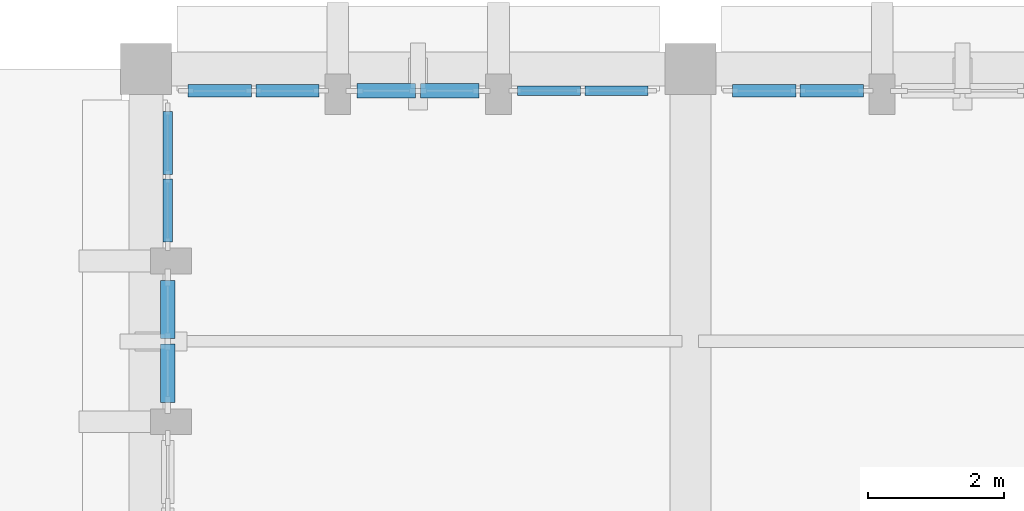
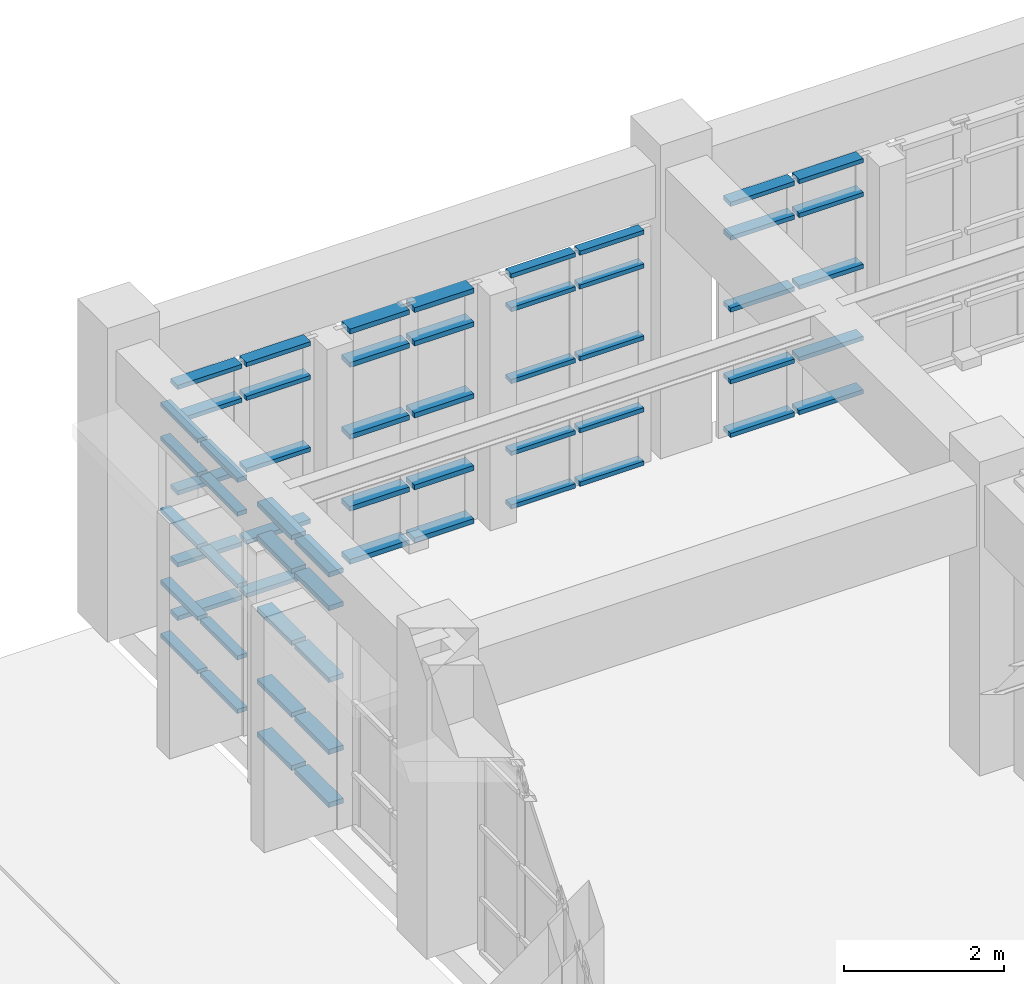
# One storey, part 68 of 155: 60 members, 6 elements without a shape of their own.
"""IFC4 building model written with IfcOpenShell, lengths in metres."""

from ifc_helpers import new_model, si_unit, direction, frame, origin, origin_2d, place, context, subcontext, project, spatial, rectangle, extrude, material, layer, layer_set, material_profile, profile_set, type_object, element, aggregate, save


model = new_model("IFC4")

# Units and contexts
model_context = context("Model", 3, precision=1e-05, world=origin(), true_north=direction((0.0, 1.0)))
body_context = subcontext(model_context, "Body", "Model", "MODEL_VIEW")
ifc_project = project(units=[si_unit("LENGTHUNIT", "METRE"), si_unit("AREAUNIT", "SQUARE_METRE"), si_unit("VOLUMEUNIT", "CUBIC_METRE"), si_unit("PLANEANGLEUNIT", "RADIAN"), si_unit("MASSUNIT", "GRAM", prefix="KILO")], contexts=[model_context])

# Site, building, storey
site_placement = place(None, origin())
site = spatial("IfcSite", under=ifc_project, at=site_placement, CompositionType="ELEMENT")
building_placement = place(site_placement, origin())
building = spatial("IfcBuilding", under=site, at=building_placement, Name="Tazarka Park Arena", CompositionType="ELEMENT")
storey_placement = place(building_placement, frame((0.0, 0.0, 5.39990234375)))
storey = spatial("IfcBuildingStorey", under=building, at=storey_placement, Name="L01", CompositionType="ELEMENT", Elevation=5.39990234375)

# Curtain wall, members
ifc_material_1 = material(Name="Aluminium and low-e glass", Category="aluminium")
ifc_layer_1 = layer(ifc_material_1, 0.179931640625, Name="Aluminium and low-e glass")
ifc_layer_set_1 = layer_set([ifc_layer_1], Name="Aluminium and low-e glass")
curtain_wall_type_1 = type_object("IfcCurtainWallType", Name="CW-24", PredefinedType="NOTDEFINED", material=ifc_layer_set_1)
curtain_wall_1_placement = place(storey_placement, origin())
curtain_wall_1 = element("IfcCurtainWall", 1, at=curtain_wall_1_placement, inside=storey, type_object=curtain_wall_type_1, Name="Curtain Wall CWA-L01-054", PredefinedType="NOTDEFINED")
ifc_material_2 = material(Name="Aluminium 6060-T66", Category="aluminium")
ifc_material_profile_1 = material_profile(ifc_material_2, rectangle(XDim=0.139892578125, YDim=0.06494140625, at=origin_2d()), Name="Aluminium 6060-T66")
ifc_profile_set_1 = profile_set([ifc_material_profile_1], Name="Aluminium 6060-T66")
member_type_1 = type_object("IfcMemberType", Name="CWT-01", PredefinedType="USERDEFINED", material=ifc_profile_set_1)
member_1_placement = place(storey_placement, frame((45.456787109375, 127.679931640625, 0.03271484375), z_axis=(1.0, 0.0, 0.0), x_axis=(0.0, 1.0, 0.0)))
member_1 = element("IfcMember", 2, at=member_1_placement, type_object=member_type_1, Name="CW-24 transom 1.1", ObjectType="TRANSOM", PredefinedType="USERDEFINED", context=body_context, shape_type="SweptSolid", body=[
    extrude(rectangle(XDim=0.139892578125, YDim=0.06494140625, at=origin_2d()), origin(), (0.0, 0.0, 1.0), 0.928955078125),
])
member_2_placement = place(storey_placement, frame((45.456787109375, 127.679931640625, 0.85009765625), z_axis=(1.0, 0.0, 0.0), x_axis=(0.0, 1.0, 0.0)))
member_2 = element("IfcMember", 3, at=member_2_placement, type_object=member_type_1, Name="CW-24 transom 1.2", ObjectType="TRANSOM", PredefinedType="USERDEFINED", context=body_context, shape_type="SweptSolid", body=[
    extrude(rectangle(XDim=0.139892578125, YDim=0.06494140625, at=origin_2d()), origin(), (0.0, 0.0, 1.0), 0.928955078125),
])
member_3_placement = place(storey_placement, frame((45.456787109375, 127.679931640625, 1.9501953125), z_axis=(1.0, 0.0, 0.0), x_axis=(0.0, 1.0, 0.0)))
member_3 = element("IfcMember", 4, at=member_3_placement, type_object=member_type_1, Name="CW-24 transom 1.3", ObjectType="TRANSOM", PredefinedType="USERDEFINED", context=body_context, shape_type="SweptSolid", body=[
    extrude(rectangle(XDim=0.139892578125, YDim=0.06494140625, at=origin_2d()), origin(), (0.0, 0.0, 1.0), 0.928955078125),
])
member_4_placement = place(storey_placement, frame((45.456787109375, 127.679931640625, 3.050048828125), z_axis=(1.0, 0.0, 0.0), x_axis=(0.0, 1.0, 0.0)))
member_4 = element("IfcMember", 5, at=member_4_placement, type_object=member_type_1, Name="CW-24 transom 1.4", ObjectType="TRANSOM", PredefinedType="USERDEFINED", context=body_context, shape_type="SweptSolid", body=[
    extrude(rectangle(XDim=0.139892578125, YDim=0.06494140625, at=origin_2d()), origin(), (0.0, 0.0, 1.0), 0.928955078125),
])
member_5_placement = place(storey_placement, frame((45.456787109375, 127.679931640625, 3.567626953125), z_axis=(1.0, 0.0, 0.0), x_axis=(0.0, 1.0, 0.0)))
member_5 = element("IfcMember", 6, at=member_5_placement, type_object=member_type_1, Name="CW-24 transom 1.5", ObjectType="TRANSOM", PredefinedType="USERDEFINED", context=body_context, shape_type="SweptSolid", body=[
    extrude(rectangle(XDim=0.139892578125, YDim=0.06494140625, at=origin_2d()), origin(), (0.0, 0.0, 1.0), 0.928955078125),
])
member_6_placement = place(storey_placement, frame((46.450927734375, 127.679931640625, 0.03271484375), z_axis=(1.0, 0.0, 0.0), x_axis=(0.0, 1.0, 0.0)))
member_6 = element("IfcMember", 7, at=member_6_placement, type_object=member_type_1, Name="CW-24 transom 2.1", ObjectType="TRANSOM", PredefinedType="USERDEFINED", context=body_context, shape_type="SweptSolid", body=[
    extrude(rectangle(XDim=0.139892578125, YDim=0.06494140625, at=origin_2d()), origin(), (0.0, 0.0, 1.0), 0.928955078125),
])
member_7_placement = place(storey_placement, frame((46.450927734375, 127.679931640625, 0.85009765625), z_axis=(1.0, 0.0, 0.0), x_axis=(0.0, 1.0, 0.0)))
member_7 = element("IfcMember", 8, at=member_7_placement, type_object=member_type_1, Name="CW-24 transom 2.2", ObjectType="TRANSOM", PredefinedType="USERDEFINED", context=body_context, shape_type="SweptSolid", body=[
    extrude(rectangle(XDim=0.139892578125, YDim=0.06494140625, at=origin_2d()), origin(), (0.0, 0.0, 1.0), 0.928955078125),
])
member_8_placement = place(storey_placement, frame((46.450927734375, 127.679931640625, 1.9501953125), z_axis=(1.0, 0.0, 0.0), x_axis=(0.0, 1.0, 0.0)))
member_8 = element("IfcMember", 9, at=member_8_placement, type_object=member_type_1, Name="CW-24 transom 2.3", ObjectType="TRANSOM", PredefinedType="USERDEFINED", context=body_context, shape_type="SweptSolid", body=[
    extrude(rectangle(XDim=0.139892578125, YDim=0.06494140625, at=origin_2d()), origin(), (0.0, 0.0, 1.0), 0.928955078125),
])
member_9_placement = place(storey_placement, frame((46.450927734375, 127.679931640625, 3.050048828125), z_axis=(1.0, 0.0, 0.0), x_axis=(0.0, 1.0, 0.0)))
member_9 = element("IfcMember", 10, at=member_9_placement, type_object=member_type_1, Name="CW-24 transom 2.4", ObjectType="TRANSOM", PredefinedType="USERDEFINED", context=body_context, shape_type="SweptSolid", body=[
    extrude(rectangle(XDim=0.139892578125, YDim=0.06494140625, at=origin_2d()), origin(), (0.0, 0.0, 1.0), 0.928955078125),
])
member_10_placement = place(storey_placement, frame((46.450927734375, 127.679931640625, 3.567626953125), z_axis=(1.0, 0.0, 0.0), x_axis=(0.0, 1.0, 0.0)))
member_10 = element("IfcMember", 11, at=member_10_placement, type_object=member_type_1, Name="CW-24 transom 2.5", ObjectType="TRANSOM", PredefinedType="USERDEFINED", context=body_context, shape_type="SweptSolid", body=[
    extrude(rectangle(XDim=0.139892578125, YDim=0.06494140625, at=origin_2d()), origin(), (0.0, 0.0, 1.0), 0.928955078125),
])
aggregate(curtain_wall_1, [member_1, member_2, member_3, member_4, member_5, member_6, member_7, member_8, member_9, member_10])

ifc_material_3 = material(Name="Aluminium and low-e glass", Category="aluminium")
ifc_layer_2 = layer(ifc_material_3, 0.179931640625, Name="Aluminium and low-e glass")
ifc_layer_set_2 = layer_set([ifc_layer_2], Name="Aluminium and low-e glass")
curtain_wall_type_2 = type_object("IfcCurtainWallType", Name="CW-27", PredefinedType="NOTDEFINED", material=ifc_layer_set_2)
curtain_wall_2_placement = place(storey_placement, origin())
curtain_wall_2 = element("IfcCurtainWall", 12, at=curtain_wall_2_placement, inside=storey, type_object=curtain_wall_type_2, Name="Curtain Wall CWA-L01-057", PredefinedType="NOTDEFINED")
member_11_placement = place(storey_placement, frame((40.320068359375, 125.456787109375, 0.03271484375), z_axis=(0.0, 1.0, 0.0), x_axis=(-1.0, 0.0, 0.0)))
member_11 = element("IfcMember", 13, at=member_11_placement, type_object=member_type_1, Name="CW-27 transom 1.1", ObjectType="TRANSOM", PredefinedType="USERDEFINED", context=body_context, shape_type="SweptSolid", body=[
    extrude(rectangle(XDim=0.139892578125, YDim=0.06494140625, at=origin_2d()), origin(), (0.0, 0.0, 1.0), 0.928955078125),
])
member_12_placement = place(storey_placement, frame((40.320068359375, 125.456787109375, 0.85009765625), z_axis=(0.0, 1.0, 0.0), x_axis=(-1.0, 0.0, 0.0)))
member_12 = element("IfcMember", 14, at=member_12_placement, type_object=member_type_1, Name="CW-27 transom 1.2", ObjectType="TRANSOM", PredefinedType="USERDEFINED", context=body_context, shape_type="SweptSolid", body=[
    extrude(rectangle(XDim=0.139892578125, YDim=0.06494140625, at=origin_2d()), origin(), (0.0, 0.0, 1.0), 0.928955078125),
])
member_13_placement = place(storey_placement, frame((40.320068359375, 125.456787109375, 1.9501953125), z_axis=(0.0, 1.0, 0.0), x_axis=(-1.0, 0.0, 0.0)))
member_13 = element("IfcMember", 15, at=member_13_placement, type_object=member_type_1, Name="CW-27 transom 1.3", ObjectType="TRANSOM", PredefinedType="USERDEFINED", context=body_context, shape_type="SweptSolid", body=[
    extrude(rectangle(XDim=0.139892578125, YDim=0.06494140625, at=origin_2d()), origin(), (0.0, 0.0, 1.0), 0.928955078125),
])
member_14_placement = place(storey_placement, frame((40.320068359375, 125.456787109375, 3.050048828125), z_axis=(0.0, 1.0, 0.0), x_axis=(-1.0, 0.0, 0.0)))
member_14 = element("IfcMember", 16, at=member_14_placement, type_object=member_type_1, Name="CW-27 transom 1.4", ObjectType="TRANSOM", PredefinedType="USERDEFINED", context=body_context, shape_type="SweptSolid", body=[
    extrude(rectangle(XDim=0.139892578125, YDim=0.06494140625, at=origin_2d()), origin(), (0.0, 0.0, 1.0), 0.928955078125),
])
member_15_placement = place(storey_placement, frame((40.320068359375, 125.456787109375, 3.567626953125), z_axis=(0.0, 1.0, 0.0), x_axis=(-1.0, 0.0, 0.0)))
member_15 = element("IfcMember", 17, at=member_15_placement, type_object=member_type_1, Name="CW-27 transom 1.5", ObjectType="TRANSOM", PredefinedType="USERDEFINED", context=body_context, shape_type="SweptSolid", body=[
    extrude(rectangle(XDim=0.139892578125, YDim=0.06494140625, at=origin_2d()), origin(), (0.0, 0.0, 1.0), 0.928955078125),
])
member_16_placement = place(storey_placement, frame((40.320068359375, 126.450927734375, 0.03271484375), z_axis=(0.0, 1.0, 0.0), x_axis=(-1.0, 0.0, 0.0)))
member_16 = element("IfcMember", 18, at=member_16_placement, type_object=member_type_1, Name="CW-27 transom 2.1", ObjectType="TRANSOM", PredefinedType="USERDEFINED", context=body_context, shape_type="SweptSolid", body=[
    extrude(rectangle(XDim=0.139892578125, YDim=0.06494140625, at=origin_2d()), origin(), (0.0, 0.0, 1.0), 0.928955078125),
])
member_17_placement = place(storey_placement, frame((40.320068359375, 126.450927734375, 0.85009765625), z_axis=(0.0, 1.0, 0.0), x_axis=(-1.0, 0.0, 0.0)))
member_17 = element("IfcMember", 19, at=member_17_placement, type_object=member_type_1, Name="CW-27 transom 2.2", ObjectType="TRANSOM", PredefinedType="USERDEFINED", context=body_context, shape_type="SweptSolid", body=[
    extrude(rectangle(XDim=0.139892578125, YDim=0.06494140625, at=origin_2d()), origin(), (0.0, 0.0, 1.0), 0.928955078125),
])
member_18_placement = place(storey_placement, frame((40.320068359375, 126.450927734375, 1.9501953125), z_axis=(0.0, 1.0, 0.0), x_axis=(-1.0, 0.0, 0.0)))
member_18 = element("IfcMember", 20, at=member_18_placement, type_object=member_type_1, Name="CW-27 transom 2.3", ObjectType="TRANSOM", PredefinedType="USERDEFINED", context=body_context, shape_type="SweptSolid", body=[
    extrude(rectangle(XDim=0.139892578125, YDim=0.06494140625, at=origin_2d()), origin(), (0.0, 0.0, 1.0), 0.928955078125),
])
member_19_placement = place(storey_placement, frame((40.320068359375, 126.450927734375, 3.050048828125), z_axis=(0.0, 1.0, 0.0), x_axis=(-1.0, 0.0, 0.0)))
member_19 = element("IfcMember", 21, at=member_19_placement, type_object=member_type_1, Name="CW-27 transom 2.4", ObjectType="TRANSOM", PredefinedType="USERDEFINED", context=body_context, shape_type="SweptSolid", body=[
    extrude(rectangle(XDim=0.139892578125, YDim=0.06494140625, at=origin_2d()), origin(), (0.0, 0.0, 1.0), 0.928955078125),
])
member_20_placement = place(storey_placement, frame((40.320068359375, 126.450927734375, 3.567626953125), z_axis=(0.0, 1.0, 0.0), x_axis=(-1.0, 0.0, 0.0)))
member_20 = element("IfcMember", 22, at=member_20_placement, type_object=member_type_1, Name="CW-27 transom 2.5", ObjectType="TRANSOM", PredefinedType="USERDEFINED", context=body_context, shape_type="SweptSolid", body=[
    extrude(rectangle(XDim=0.139892578125, YDim=0.06494140625, at=origin_2d()), origin(), (0.0, 0.0, 1.0), 0.928955078125),
])
aggregate(curtain_wall_2, [member_11, member_12, member_13, member_14, member_15, member_16, member_17, member_18, member_19, member_20])

ifc_material_4 = material(Name="Aluminium and low-e glass", Category="aluminium")
ifc_layer_3 = layer(ifc_material_4, 0.179931640625, Name="Aluminium and low-e glass")
ifc_layer_set_3 = layer_set([ifc_layer_3], Name="Aluminium and low-e glass")
curtain_wall_type_3 = type_object("IfcCurtainWallType", Name="CW-19", PredefinedType="NOTDEFINED", material=ifc_layer_set_3)
curtain_wall_3_placement = place(storey_placement, origin())
curtain_wall_3 = element("IfcCurtainWall", 23, at=curtain_wall_3_placement, inside=storey, type_object=curtain_wall_type_3, Name="Curtain Wall CWA-L01-049", PredefinedType="NOTDEFINED")
ifc_material_5 = material(Name="Aluminium 6060-T66", Category="aluminium")
ifc_material_profile_2 = material_profile(ifc_material_5, rectangle(XDim=0.179931640625, YDim=0.06494140625, at=origin_2d()), Name="Aluminium 6060-T66")
ifc_profile_set_2 = profile_set([ifc_material_profile_2], Name="Aluminium 6060-T66")
member_type_2 = type_object("IfcMemberType", Name="CWT-02", PredefinedType="USERDEFINED", material=ifc_profile_set_2)
member_21_placement = place(storey_placement, frame((48.6201171875, 127.679931640625, 0.03271484375), z_axis=(1.0, 0.0, 0.0), x_axis=(0.0, 1.0, 0.0)))
member_21 = element("IfcMember", 24, at=member_21_placement, type_object=member_type_2, Name="CW-19 transom 1.1", ObjectType="TRANSOM", PredefinedType="USERDEFINED", context=body_context, shape_type="SweptSolid", body=[
    extrude(rectangle(XDim=0.179931640625, YDim=0.06494140625, at=origin_2d()), origin(), (0.0, 0.0, 1.0), 0.928955078125),
])
member_22_placement = place(storey_placement, frame((48.6201171875, 127.679931640625, 0.85009765625), z_axis=(1.0, 0.0, 0.0), x_axis=(0.0, 1.0, 0.0)))
member_22 = element("IfcMember", 25, at=member_22_placement, type_object=member_type_2, Name="CW-19 transom 1.2", ObjectType="TRANSOM", PredefinedType="USERDEFINED", context=body_context, shape_type="SweptSolid", body=[
    extrude(rectangle(XDim=0.179931640625, YDim=0.06494140625, at=origin_2d()), origin(), (0.0, 0.0, 1.0), 0.928955078125),
])
member_23_placement = place(storey_placement, frame((48.6201171875, 127.679931640625, 1.9501953125), z_axis=(1.0, 0.0, 0.0), x_axis=(0.0, 1.0, 0.0)))
member_23 = element("IfcMember", 26, at=member_23_placement, type_object=member_type_2, Name="CW-19 transom 1.3", ObjectType="TRANSOM", PredefinedType="USERDEFINED", context=body_context, shape_type="SweptSolid", body=[
    extrude(rectangle(XDim=0.179931640625, YDim=0.06494140625, at=origin_2d()), origin(), (0.0, 0.0, 1.0), 0.928955078125),
])
member_24_placement = place(storey_placement, frame((48.6201171875, 127.679931640625, 3.050048828125), z_axis=(1.0, 0.0, 0.0), x_axis=(0.0, 1.0, 0.0)))
member_24 = element("IfcMember", 27, at=member_24_placement, type_object=member_type_2, Name="CW-19 transom 1.4", ObjectType="TRANSOM", PredefinedType="USERDEFINED", context=body_context, shape_type="SweptSolid", body=[
    extrude(rectangle(XDim=0.179931640625, YDim=0.06494140625, at=origin_2d()), origin(), (0.0, 0.0, 1.0), 0.928955078125),
])
member_25_placement = place(storey_placement, frame((48.6201171875, 127.679931640625, 3.567626953125), z_axis=(1.0, 0.0, 0.0), x_axis=(0.0, 1.0, 0.0)))
member_25 = element("IfcMember", 28, at=member_25_placement, type_object=member_type_2, Name="CW-19 transom 1.5", ObjectType="TRANSOM", PredefinedType="USERDEFINED", context=body_context, shape_type="SweptSolid", body=[
    extrude(rectangle(XDim=0.179931640625, YDim=0.06494140625, at=origin_2d()), origin(), (0.0, 0.0, 1.0), 0.928955078125),
])
member_26_placement = place(storey_placement, frame((49.6142578125, 127.679931640625, 0.03271484375), z_axis=(1.0, 0.0, 0.0), x_axis=(0.0, 1.0, 0.0)))
member_26 = element("IfcMember", 29, at=member_26_placement, type_object=member_type_2, Name="CW-19 transom 2.1", ObjectType="TRANSOM", PredefinedType="USERDEFINED", context=body_context, shape_type="SweptSolid", body=[
    extrude(rectangle(XDim=0.179931640625, YDim=0.06494140625, at=origin_2d()), origin(), (0.0, 0.0, 1.0), 0.928955078125),
])
member_27_placement = place(storey_placement, frame((49.6142578125, 127.679931640625, 0.85009765625), z_axis=(1.0, 0.0, 0.0), x_axis=(0.0, 1.0, 0.0)))
member_27 = element("IfcMember", 30, at=member_27_placement, type_object=member_type_2, Name="CW-19 transom 2.2", ObjectType="TRANSOM", PredefinedType="USERDEFINED", context=body_context, shape_type="SweptSolid", body=[
    extrude(rectangle(XDim=0.179931640625, YDim=0.06494140625, at=origin_2d()), origin(), (0.0, 0.0, 1.0), 0.928955078125),
])
member_28_placement = place(storey_placement, frame((49.6142578125, 127.679931640625, 1.9501953125), z_axis=(1.0, 0.0, 0.0), x_axis=(0.0, 1.0, 0.0)))
member_28 = element("IfcMember", 31, at=member_28_placement, type_object=member_type_2, Name="CW-19 transom 2.3", ObjectType="TRANSOM", PredefinedType="USERDEFINED", context=body_context, shape_type="SweptSolid", body=[
    extrude(rectangle(XDim=0.179931640625, YDim=0.06494140625, at=origin_2d()), origin(), (0.0, 0.0, 1.0), 0.928955078125),
])
member_29_placement = place(storey_placement, frame((49.6142578125, 127.679931640625, 3.050048828125), z_axis=(1.0, 0.0, 0.0), x_axis=(0.0, 1.0, 0.0)))
member_29 = element("IfcMember", 32, at=member_29_placement, type_object=member_type_2, Name="CW-19 transom 2.4", ObjectType="TRANSOM", PredefinedType="USERDEFINED", context=body_context, shape_type="SweptSolid", body=[
    extrude(rectangle(XDim=0.179931640625, YDim=0.06494140625, at=origin_2d()), origin(), (0.0, 0.0, 1.0), 0.928955078125),
])
member_30_placement = place(storey_placement, frame((49.6142578125, 127.679931640625, 3.567626953125), z_axis=(1.0, 0.0, 0.0), x_axis=(0.0, 1.0, 0.0)))
member_30 = element("IfcMember", 33, at=member_30_placement, type_object=member_type_2, Name="CW-19 transom 2.5", ObjectType="TRANSOM", PredefinedType="USERDEFINED", context=body_context, shape_type="SweptSolid", body=[
    extrude(rectangle(XDim=0.179931640625, YDim=0.06494140625, at=origin_2d()), origin(), (0.0, 0.0, 1.0), 0.928955078125),
])
aggregate(curtain_wall_3, [member_21, member_22, member_23, member_24, member_25, member_26, member_27, member_28, member_29, member_30])

ifc_material_6 = material(Name="Aluminium and low-e glass", Category="aluminium")
ifc_layer_4 = layer(ifc_material_6, 0.179931640625, Name="Aluminium and low-e glass")
ifc_layer_set_4 = layer_set([ifc_layer_4], Name="Aluminium and low-e glass")
curtain_wall_type_4 = type_object("IfcCurtainWallType", Name="CW-22", PredefinedType="NOTDEFINED", material=ifc_layer_set_4)
curtain_wall_4_placement = place(storey_placement, origin())
curtain_wall_4 = element("IfcCurtainWall", 34, at=curtain_wall_4_placement, inside=storey, type_object=curtain_wall_type_4, Name="Curtain Wall CWA-L01-052", PredefinedType="NOTDEFINED")
member_31_placement = place(storey_placement, frame((40.6201171875, 127.679931640625, 0.03271484375), z_axis=(1.0, 0.0, 0.0), x_axis=(0.0, 1.0, 0.0)))
member_31 = element("IfcMember", 35, at=member_31_placement, type_object=member_type_2, Name="CW-22 transom 1.1", ObjectType="TRANSOM", PredefinedType="USERDEFINED", context=body_context, shape_type="SweptSolid", body=[
    extrude(rectangle(XDim=0.179931640625, YDim=0.06494140625, at=origin_2d()), origin(), (0.0, 0.0, 1.0), 0.928955078125),
])
member_32_placement = place(storey_placement, frame((40.6201171875, 127.679931640625, 0.85009765625), z_axis=(1.0, 0.0, 0.0), x_axis=(0.0, 1.0, 0.0)))
member_32 = element("IfcMember", 36, at=member_32_placement, type_object=member_type_2, Name="CW-22 transom 1.2", ObjectType="TRANSOM", PredefinedType="USERDEFINED", context=body_context, shape_type="SweptSolid", body=[
    extrude(rectangle(XDim=0.179931640625, YDim=0.06494140625, at=origin_2d()), origin(), (0.0, 0.0, 1.0), 0.928955078125),
])
member_33_placement = place(storey_placement, frame((40.6201171875, 127.679931640625, 1.9501953125), z_axis=(1.0, 0.0, 0.0), x_axis=(0.0, 1.0, 0.0)))
member_33 = element("IfcMember", 37, at=member_33_placement, type_object=member_type_2, Name="CW-22 transom 1.3", ObjectType="TRANSOM", PredefinedType="USERDEFINED", context=body_context, shape_type="SweptSolid", body=[
    extrude(rectangle(XDim=0.179931640625, YDim=0.06494140625, at=origin_2d()), origin(), (0.0, 0.0, 1.0), 0.928955078125),
])
member_34_placement = place(storey_placement, frame((40.6201171875, 127.679931640625, 3.050048828125), z_axis=(1.0, 0.0, 0.0), x_axis=(0.0, 1.0, 0.0)))
member_34 = element("IfcMember", 38, at=member_34_placement, type_object=member_type_2, Name="CW-22 transom 1.4", ObjectType="TRANSOM", PredefinedType="USERDEFINED", context=body_context, shape_type="SweptSolid", body=[
    extrude(rectangle(XDim=0.179931640625, YDim=0.06494140625, at=origin_2d()), origin(), (0.0, 0.0, 1.0), 0.928955078125),
])
member_35_placement = place(storey_placement, frame((40.6201171875, 127.679931640625, 3.567626953125), z_axis=(1.0, 0.0, 0.0), x_axis=(0.0, 1.0, 0.0)))
member_35 = element("IfcMember", 39, at=member_35_placement, type_object=member_type_2, Name="CW-22 transom 1.5", ObjectType="TRANSOM", PredefinedType="USERDEFINED", context=body_context, shape_type="SweptSolid", body=[
    extrude(rectangle(XDim=0.179931640625, YDim=0.06494140625, at=origin_2d()), origin(), (0.0, 0.0, 1.0), 0.928955078125),
])
member_36_placement = place(storey_placement, frame((41.6142578125, 127.679931640625, 0.03271484375), z_axis=(1.0, 0.0, 0.0), x_axis=(0.0, 1.0, 0.0)))
member_36 = element("IfcMember", 40, at=member_36_placement, type_object=member_type_2, Name="CW-22 transom 2.1", ObjectType="TRANSOM", PredefinedType="USERDEFINED", context=body_context, shape_type="SweptSolid", body=[
    extrude(rectangle(XDim=0.179931640625, YDim=0.06494140625, at=origin_2d()), origin(), (0.0, 0.0, 1.0), 0.928955078125),
])
member_37_placement = place(storey_placement, frame((41.6142578125, 127.679931640625, 0.85009765625), z_axis=(1.0, 0.0, 0.0), x_axis=(0.0, 1.0, 0.0)))
member_37 = element("IfcMember", 41, at=member_37_placement, type_object=member_type_2, Name="CW-22 transom 2.2", ObjectType="TRANSOM", PredefinedType="USERDEFINED", context=body_context, shape_type="SweptSolid", body=[
    extrude(rectangle(XDim=0.179931640625, YDim=0.06494140625, at=origin_2d()), origin(), (0.0, 0.0, 1.0), 0.928955078125),
])
member_38_placement = place(storey_placement, frame((41.6142578125, 127.679931640625, 1.9501953125), z_axis=(1.0, 0.0, 0.0), x_axis=(0.0, 1.0, 0.0)))
member_38 = element("IfcMember", 42, at=member_38_placement, type_object=member_type_2, Name="CW-22 transom 2.3", ObjectType="TRANSOM", PredefinedType="USERDEFINED", context=body_context, shape_type="SweptSolid", body=[
    extrude(rectangle(XDim=0.179931640625, YDim=0.06494140625, at=origin_2d()), origin(), (0.0, 0.0, 1.0), 0.928955078125),
])
member_39_placement = place(storey_placement, frame((41.6142578125, 127.679931640625, 3.050048828125), z_axis=(1.0, 0.0, 0.0), x_axis=(0.0, 1.0, 0.0)))
member_39 = element("IfcMember", 43, at=member_39_placement, type_object=member_type_2, Name="CW-22 transom 2.4", ObjectType="TRANSOM", PredefinedType="USERDEFINED", context=body_context, shape_type="SweptSolid", body=[
    extrude(rectangle(XDim=0.179931640625, YDim=0.06494140625, at=origin_2d()), origin(), (0.0, 0.0, 1.0), 0.928955078125),
])
member_40_placement = place(storey_placement, frame((41.6142578125, 127.679931640625, 3.567626953125), z_axis=(1.0, 0.0, 0.0), x_axis=(0.0, 1.0, 0.0)))
member_40 = element("IfcMember", 44, at=member_40_placement, type_object=member_type_2, Name="CW-22 transom 2.5", ObjectType="TRANSOM", PredefinedType="USERDEFINED", context=body_context, shape_type="SweptSolid", body=[
    extrude(rectangle(XDim=0.179931640625, YDim=0.06494140625, at=origin_2d()), origin(), (0.0, 0.0, 1.0), 0.928955078125),
])
aggregate(curtain_wall_4, [member_31, member_32, member_33, member_34, member_35, member_36, member_37, member_38, member_39, member_40])

ifc_material_7 = material(Name="Aluminium and low-e glass", Category="aluminium")
ifc_layer_5 = layer(ifc_material_7, 0.179931640625, Name="Aluminium and low-e glass")
ifc_layer_set_5 = layer_set([ifc_layer_5], Name="Aluminium and low-e glass")
curtain_wall_type_5 = type_object("IfcCurtainWallType", Name="CW-23", PredefinedType="NOTDEFINED", material=ifc_layer_set_5)
curtain_wall_5_placement = place(storey_placement, origin())
curtain_wall_5 = element("IfcCurtainWall", 45, at=curtain_wall_5_placement, inside=storey, type_object=curtain_wall_type_5, Name="Curtain Wall CWA-L01-053", PredefinedType="NOTDEFINED")
ifc_material_8 = material(Name="Aluminium 6060-T66", Category="aluminium")
ifc_material_profile_3 = material_profile(ifc_material_8, rectangle(XDim=0.2099609375, YDim=0.074951171875, at=origin_2d()), Name="Aluminium 6060-T66")
ifc_profile_set_3 = profile_set([ifc_material_profile_3], Name="Aluminium 6060-T66")
member_type_3 = type_object("IfcMemberType", Name="CWT-03", PredefinedType="USERDEFINED", material=ifc_profile_set_3)
member_41_placement = place(storey_placement, frame((43.103271484375, 127.679931640625, 0.03759765625), z_axis=(1.0, 0.0, 0.0), x_axis=(0.0, 1.0, 0.0)))
member_41 = element("IfcMember", 46, at=member_41_placement, type_object=member_type_3, Name="CW-23 transom 1.1", ObjectType="TRANSOM", PredefinedType="USERDEFINED", context=body_context, shape_type="SweptSolid", body=[
    extrude(rectangle(XDim=0.2099609375, YDim=0.074951171875, at=origin_2d()), origin(), (0.0, 0.0, 1.0), 0.859130859375),
])
member_42_placement = place(storey_placement, frame((43.103271484375, 127.679931640625, 0.85009765625), z_axis=(1.0, 0.0, 0.0), x_axis=(0.0, 1.0, 0.0)))
member_42 = element("IfcMember", 47, at=member_42_placement, type_object=member_type_3, Name="CW-23 transom 1.2", ObjectType="TRANSOM", PredefinedType="USERDEFINED", context=body_context, shape_type="SweptSolid", body=[
    extrude(rectangle(XDim=0.2099609375, YDim=0.074951171875, at=origin_2d()), origin(), (0.0, 0.0, 1.0), 0.859130859375),
])
member_43_placement = place(storey_placement, frame((43.103271484375, 127.679931640625, 1.9501953125), z_axis=(1.0, 0.0, 0.0), x_axis=(0.0, 1.0, 0.0)))
member_43 = element("IfcMember", 48, at=member_43_placement, type_object=member_type_3, Name="CW-23 transom 1.3", ObjectType="TRANSOM", PredefinedType="USERDEFINED", context=body_context, shape_type="SweptSolid", body=[
    extrude(rectangle(XDim=0.2099609375, YDim=0.074951171875, at=origin_2d()), origin(), (0.0, 0.0, 1.0), 0.859130859375),
])
member_44_placement = place(storey_placement, frame((43.103271484375, 127.679931640625, 3.050048828125), z_axis=(1.0, 0.0, 0.0), x_axis=(0.0, 1.0, 0.0)))
member_44 = element("IfcMember", 49, at=member_44_placement, type_object=member_type_3, Name="CW-23 transom 1.4", ObjectType="TRANSOM", PredefinedType="USERDEFINED", context=body_context, shape_type="SweptSolid", body=[
    extrude(rectangle(XDim=0.2099609375, YDim=0.074951171875, at=origin_2d()), origin(), (0.0, 0.0, 1.0), 0.859130859375),
])
member_45_placement = place(storey_placement, frame((43.103271484375, 127.679931640625, 3.5625), z_axis=(1.0, 0.0, 0.0), x_axis=(0.0, 1.0, 0.0)))
member_45 = element("IfcMember", 50, at=member_45_placement, type_object=member_type_3, Name="CW-23 transom 1.5", ObjectType="TRANSOM", PredefinedType="USERDEFINED", context=body_context, shape_type="SweptSolid", body=[
    extrude(rectangle(XDim=0.2099609375, YDim=0.074951171875, at=origin_2d()), origin(), (0.0, 0.0, 1.0), 0.859130859375),
])
member_46_placement = place(storey_placement, frame((44.03759765625, 127.679931640625, 0.03759765625), z_axis=(1.0, 0.0, 0.0), x_axis=(0.0, 1.0, 0.0)))
member_46 = element("IfcMember", 51, at=member_46_placement, type_object=member_type_3, Name="CW-23 transom 2.1", ObjectType="TRANSOM", PredefinedType="USERDEFINED", context=body_context, shape_type="SweptSolid", body=[
    extrude(rectangle(XDim=0.2099609375, YDim=0.074951171875, at=origin_2d()), origin(), (0.0, 0.0, 1.0), 0.859130859375),
])
member_47_placement = place(storey_placement, frame((44.03759765625, 127.679931640625, 0.85009765625), z_axis=(1.0, 0.0, 0.0), x_axis=(0.0, 1.0, 0.0)))
member_47 = element("IfcMember", 52, at=member_47_placement, type_object=member_type_3, Name="CW-23 transom 2.2", ObjectType="TRANSOM", PredefinedType="USERDEFINED", context=body_context, shape_type="SweptSolid", body=[
    extrude(rectangle(XDim=0.2099609375, YDim=0.074951171875, at=origin_2d()), origin(), (0.0, 0.0, 1.0), 0.859130859375),
])
member_48_placement = place(storey_placement, frame((44.03759765625, 127.679931640625, 1.9501953125), z_axis=(1.0, 0.0, 0.0), x_axis=(0.0, 1.0, 0.0)))
member_48 = element("IfcMember", 53, at=member_48_placement, type_object=member_type_3, Name="CW-23 transom 2.3", ObjectType="TRANSOM", PredefinedType="USERDEFINED", context=body_context, shape_type="SweptSolid", body=[
    extrude(rectangle(XDim=0.2099609375, YDim=0.074951171875, at=origin_2d()), origin(), (0.0, 0.0, 1.0), 0.859130859375),
])
member_49_placement = place(storey_placement, frame((44.03759765625, 127.679931640625, 3.050048828125), z_axis=(1.0, 0.0, 0.0), x_axis=(0.0, 1.0, 0.0)))
member_49 = element("IfcMember", 54, at=member_49_placement, type_object=member_type_3, Name="CW-23 transom 2.4", ObjectType="TRANSOM", PredefinedType="USERDEFINED", context=body_context, shape_type="SweptSolid", body=[
    extrude(rectangle(XDim=0.2099609375, YDim=0.074951171875, at=origin_2d()), origin(), (0.0, 0.0, 1.0), 0.859130859375),
])
member_50_placement = place(storey_placement, frame((44.03759765625, 127.679931640625, 3.5625), z_axis=(1.0, 0.0, 0.0), x_axis=(0.0, 1.0, 0.0)))
member_50 = element("IfcMember", 55, at=member_50_placement, type_object=member_type_3, Name="CW-23 transom 2.5", ObjectType="TRANSOM", PredefinedType="USERDEFINED", context=body_context, shape_type="SweptSolid", body=[
    extrude(rectangle(XDim=0.2099609375, YDim=0.074951171875, at=origin_2d()), origin(), (0.0, 0.0, 1.0), 0.859130859375),
])
aggregate(curtain_wall_5, [member_41, member_42, member_43, member_44, member_45, member_46, member_47, member_48, member_49, member_50])

ifc_material_9 = material(Name="Aluminium and low-e glass", Category="aluminium")
ifc_layer_6 = layer(ifc_material_9, 0.179931640625, Name="Aluminium and low-e glass")
ifc_layer_set_6 = layer_set([ifc_layer_6], Name="Aluminium and low-e glass")
curtain_wall_type_6 = type_object("IfcCurtainWallType", Name="CW-26", PredefinedType="NOTDEFINED", material=ifc_layer_set_6)
curtain_wall_6_placement = place(storey_placement, origin())
curtain_wall_6 = element("IfcCurtainWall", 56, at=curtain_wall_6_placement, inside=storey, type_object=curtain_wall_type_6, Name="Curtain Wall CWA-L01-056", PredefinedType="NOTDEFINED")
member_51_placement = place(storey_placement, frame((40.320068359375, 123.103271484375, 0.03759765625), z_axis=(0.0, 1.0, 0.0), x_axis=(-1.0, 0.0, 0.0)))
member_51 = element("IfcMember", 57, at=member_51_placement, type_object=member_type_3, Name="CW-26 transom 1.1", ObjectType="TRANSOM", PredefinedType="USERDEFINED", context=body_context, shape_type="SweptSolid", body=[
    extrude(rectangle(XDim=0.2099609375, YDim=0.074951171875, at=origin_2d()), origin(), (0.0, 0.0, 1.0), 0.859130859375),
])
member_52_placement = place(storey_placement, frame((40.320068359375, 123.103271484375, 0.85009765625), z_axis=(0.0, 1.0, 0.0), x_axis=(-1.0, 0.0, 0.0)))
member_52 = element("IfcMember", 58, at=member_52_placement, type_object=member_type_3, Name="CW-26 transom 1.2", ObjectType="TRANSOM", PredefinedType="USERDEFINED", context=body_context, shape_type="SweptSolid", body=[
    extrude(rectangle(XDim=0.2099609375, YDim=0.074951171875, at=origin_2d()), origin(), (0.0, 0.0, 1.0), 0.859130859375),
])
member_53_placement = place(storey_placement, frame((40.320068359375, 123.103271484375, 1.9501953125), z_axis=(0.0, 1.0, 0.0), x_axis=(-1.0, 0.0, 0.0)))
member_53 = element("IfcMember", 59, at=member_53_placement, type_object=member_type_3, Name="CW-26 transom 1.3", ObjectType="TRANSOM", PredefinedType="USERDEFINED", context=body_context, shape_type="SweptSolid", body=[
    extrude(rectangle(XDim=0.2099609375, YDim=0.074951171875, at=origin_2d()), origin(), (0.0, 0.0, 1.0), 0.859130859375),
])
member_54_placement = place(storey_placement, frame((40.320068359375, 123.103271484375, 3.050048828125), z_axis=(0.0, 1.0, 0.0), x_axis=(-1.0, 0.0, 0.0)))
member_54 = element("IfcMember", 60, at=member_54_placement, type_object=member_type_3, Name="CW-26 transom 1.4", ObjectType="TRANSOM", PredefinedType="USERDEFINED", context=body_context, shape_type="SweptSolid", body=[
    extrude(rectangle(XDim=0.2099609375, YDim=0.074951171875, at=origin_2d()), origin(), (0.0, 0.0, 1.0), 0.859130859375),
])
member_55_placement = place(storey_placement, frame((40.320068359375, 123.103271484375, 3.5625), z_axis=(0.0, 1.0, 0.0), x_axis=(-1.0, 0.0, 0.0)))
member_55 = element("IfcMember", 61, at=member_55_placement, type_object=member_type_3, Name="CW-26 transom 1.5", ObjectType="TRANSOM", PredefinedType="USERDEFINED", context=body_context, shape_type="SweptSolid", body=[
    extrude(rectangle(XDim=0.2099609375, YDim=0.074951171875, at=origin_2d()), origin(), (0.0, 0.0, 1.0), 0.859130859375),
])
member_56_placement = place(storey_placement, frame((40.320068359375, 124.03759765625, 0.03759765625), z_axis=(0.0, 1.0, 0.0), x_axis=(-1.0, 0.0, 0.0)))
member_56 = element("IfcMember", 62, at=member_56_placement, type_object=member_type_3, Name="CW-26 transom 2.1", ObjectType="TRANSOM", PredefinedType="USERDEFINED", context=body_context, shape_type="SweptSolid", body=[
    extrude(rectangle(XDim=0.2099609375, YDim=0.074951171875, at=origin_2d()), origin(), (0.0, 0.0, 1.0), 0.859130859375),
])
member_57_placement = place(storey_placement, frame((40.320068359375, 124.03759765625, 0.85009765625), z_axis=(0.0, 1.0, 0.0), x_axis=(-1.0, 0.0, 0.0)))
member_57 = element("IfcMember", 63, at=member_57_placement, type_object=member_type_3, Name="CW-26 transom 2.2", ObjectType="TRANSOM", PredefinedType="USERDEFINED", context=body_context, shape_type="SweptSolid", body=[
    extrude(rectangle(XDim=0.2099609375, YDim=0.074951171875, at=origin_2d()), origin(), (0.0, 0.0, 1.0), 0.859130859375),
])
member_58_placement = place(storey_placement, frame((40.320068359375, 124.03759765625, 1.9501953125), z_axis=(0.0, 1.0, 0.0), x_axis=(-1.0, 0.0, 0.0)))
member_58 = element("IfcMember", 64, at=member_58_placement, type_object=member_type_3, Name="CW-26 transom 2.3", ObjectType="TRANSOM", PredefinedType="USERDEFINED", context=body_context, shape_type="SweptSolid", body=[
    extrude(rectangle(XDim=0.2099609375, YDim=0.074951171875, at=origin_2d()), origin(), (0.0, 0.0, 1.0), 0.859130859375),
])
member_59_placement = place(storey_placement, frame((40.320068359375, 124.03759765625, 3.050048828125), z_axis=(0.0, 1.0, 0.0), x_axis=(-1.0, 0.0, 0.0)))
member_59 = element("IfcMember", 65, at=member_59_placement, type_object=member_type_3, Name="CW-26 transom 2.4", ObjectType="TRANSOM", PredefinedType="USERDEFINED", context=body_context, shape_type="SweptSolid", body=[
    extrude(rectangle(XDim=0.2099609375, YDim=0.074951171875, at=origin_2d()), origin(), (0.0, 0.0, 1.0), 0.859130859375),
])
member_60_placement = place(storey_placement, frame((40.320068359375, 124.03759765625, 3.5625), z_axis=(0.0, 1.0, 0.0), x_axis=(-1.0, 0.0, 0.0)))
member_60 = element("IfcMember", 66, at=member_60_placement, type_object=member_type_3, Name="CW-26 transom 2.5", ObjectType="TRANSOM", PredefinedType="USERDEFINED", context=body_context, shape_type="SweptSolid", body=[
    extrude(rectangle(XDim=0.2099609375, YDim=0.074951171875, at=origin_2d()), origin(), (0.0, 0.0, 1.0), 0.859130859375),
])
aggregate(curtain_wall_6, [member_51, member_52, member_53, member_54, member_55, member_56, member_57, member_58, member_59, member_60])

save(model, "model.ifc")
